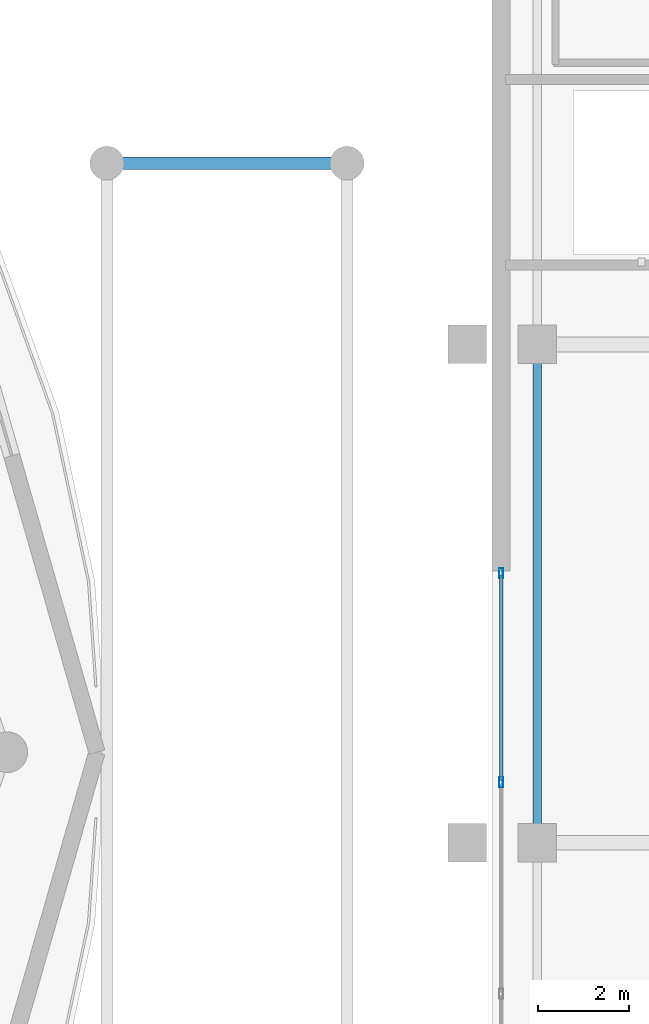
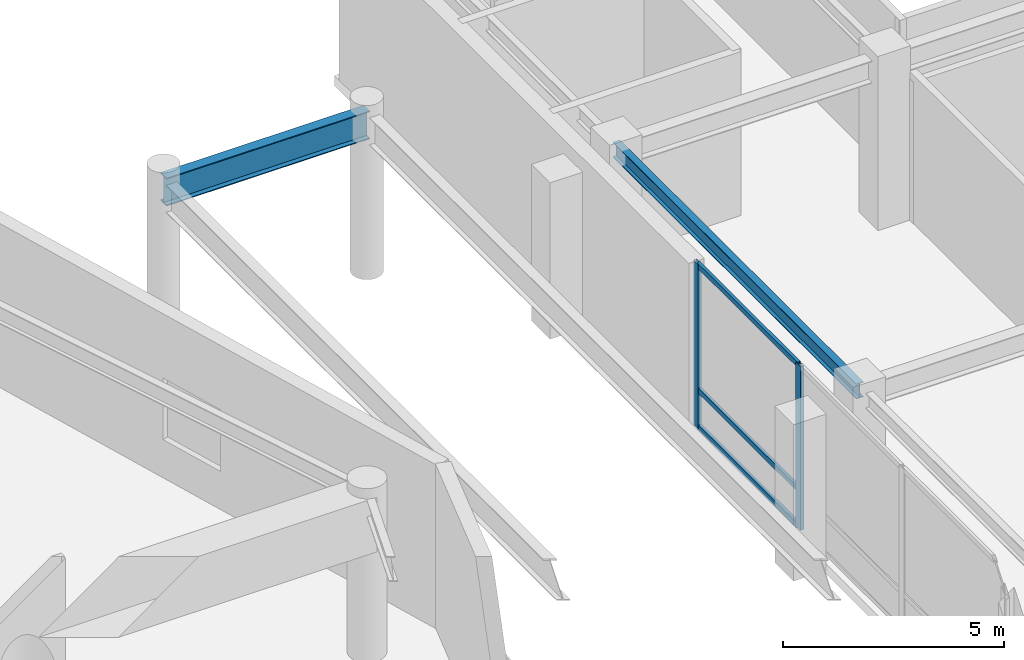
# One storey, part 18 of 36: 5 members, 2 beams, 1 element without a shape of its own.
"""IFC4 building model written with IfcOpenShell, lengths in metres."""

from ifc_helpers import new_model, si_unit, direction, frame, origin, origin_2d, place, context, subcontext, project, spatial, hollow_rectangle, i_section, extrude, material, layer, layer_set, material_profile, profile_set, type_object, element, aggregate, save


model = new_model("IFC4")

# Units and contexts
model_context = context("Model", 3, precision=1e-05, world=origin(), true_north=direction((0.0, 1.0)))
body_context = subcontext(model_context, "Body", "Model", "MODEL_VIEW")
ifc_project = project(units=[si_unit("LENGTHUNIT", "METRE"), si_unit("AREAUNIT", "SQUARE_METRE"), si_unit("VOLUMEUNIT", "CUBIC_METRE"), si_unit("PLANEANGLEUNIT", "RADIAN"), si_unit("MASSUNIT", "GRAM", prefix="KILO")], contexts=[model_context])

# Site, building, storey
site_placement = place(None, origin())
site = spatial("IfcSite", under=ifc_project, at=site_placement, CompositionType="ELEMENT")
building_placement = place(site_placement, origin())
building = spatial("IfcBuilding", under=site, at=building_placement, Name="Kazevale Care Tower and Concert Hall", CompositionType="ELEMENT")
storey_placement = place(building_placement, frame((0.0, 0.0, 14.39990234375)))
storey = spatial("IfcBuildingStorey", under=building, at=storey_placement, Name="L03", CompositionType="ELEMENT", Elevation=14.39990234375)

# Curtain wall, members
ifc_material_1 = material(Name="Aluminium 6063-T6 and Low-E Glass", Category="aluminium")
ifc_layer = layer(ifc_material_1, 0.179931640625)
ifc_layer_set = layer_set([ifc_layer], Name="Aluminium 6063-T6 and Low-E Glass")
curtain_wall_type = type_object("IfcCurtainWallType", Name="Concert Hall Foyer Storefront Curtain Wall CW-6", PredefinedType="NOTDEFINED", material=ifc_layer_set)
curtain_wall_placement = place(storey_placement, origin())
curtain_wall = element("IfcCurtainWall", 1, at=curtain_wall_placement, inside=storey, type_object=curtain_wall_type, Name="cw:L03:hall:W2", PredefinedType="NOTDEFINED")
ifc_material_2 = material(Name="Aluminium 6063-T6", Category="aluminium")
ifc_material_profile_1 = material_profile(ifc_material_2, hollow_rectangle(XDim=0.090087890625, YDim=0.219970703125, WallThickness=0.0048828125, at=origin_2d()), Name="ALU90x220x5")
ifc_profile_set_1 = profile_set([ifc_material_profile_1], Name="Aluminium 6063-T6")
member_type_1 = type_object("IfcMemberType", Name="CW-6 Mullion ALU90x220x5", PredefinedType="MULLION", material=ifc_profile_set_1)
member_1_placement = place(storey_placement, frame((96.199951171875, 41.955078125, 0.0), z_axis=(0.0, 0.0, 1.0), x_axis=(1.0, 0.0, 0.0)))
member_1 = element("IfcMember", 2, at=member_1_placement, type_object=member_type_1, Name="CW-6 mullion 1", PredefinedType="MULLION", context=body_context, shape_type="SweptSolid", body=[
    extrude(hollow_rectangle(XDim=0.090087890625, YDim=0.219970703125, WallThickness=0.0048828125, at=origin_2d()), origin(), (0.0, 0.0, 1.0), 4.52001953125),
])
member_2_placement = place(storey_placement, frame((96.199951171875, 37.333251953125, 0.0), z_axis=(0.0, 0.0, 1.0), x_axis=(1.0, 0.0, 0.0)))
member_2 = element("IfcMember", 3, at=member_2_placement, type_object=member_type_1, Name="CW-6 mullion 2", PredefinedType="MULLION", context=body_context, shape_type="SweptSolid", body=[
    extrude(hollow_rectangle(XDim=0.090087890625, YDim=0.219970703125, WallThickness=0.0048828125, at=origin_2d()), origin(), (0.0, 0.0, 1.0), 4.52001953125),
])
ifc_material_profile_2 = material_profile(ifc_material_2, hollow_rectangle(XDim=0.080078125, YDim=0.139892578125, WallThickness=0.00390625, at=origin_2d()), Name="ALU80x140x4")
ifc_profile_set_2 = profile_set([ifc_material_profile_2], Name="Aluminium 6063-T6")
member_type_2 = type_object("IfcMemberType", Name="CW-6 Transom ALU80x140x4", PredefinedType="USERDEFINED", material=ifc_profile_set_2)
member_3_placement = place(storey_placement, frame((96.199951171875, 41.909912109375, 0.0400390625), z_axis=(0.0, -1.0, 0.0), x_axis=(1.0, 0.0, 0.0)))
member_3 = element("IfcMember", 4, at=member_3_placement, type_object=member_type_2, Name="CW-6 transom 1.1", ObjectType="TRANSOM", PredefinedType="USERDEFINED", context=body_context, shape_type="SweptSolid", body=[
    extrude(hollow_rectangle(XDim=0.080078125, YDim=0.139892578125, WallThickness=0.00390625, at=origin_2d()), origin(), (0.0, 0.0, 1.0), 4.531494140625),
])
member_4_placement = place(storey_placement, frame((96.199951171875, 41.909912109375, 1.050048828125), z_axis=(0.0, -1.0, 0.0), x_axis=(1.0, 0.0, 0.0)))
member_4 = element("IfcMember", 5, at=member_4_placement, type_object=member_type_2, Name="CW-6 transom 1.2", ObjectType="TRANSOM", PredefinedType="USERDEFINED", context=body_context, shape_type="SweptSolid", body=[
    extrude(hollow_rectangle(XDim=0.080078125, YDim=0.139892578125, WallThickness=0.00390625, at=origin_2d()), origin(), (0.0, 0.0, 1.0), 4.531494140625),
])
member_5_placement = place(storey_placement, frame((96.199951171875, 41.909912109375, 4.47998046875), z_axis=(0.0, -1.0, 0.0), x_axis=(1.0, 0.0, 0.0)))
member_5 = element("IfcMember", 6, at=member_5_placement, type_object=member_type_2, Name="CW-6 transom 1.3", ObjectType="TRANSOM", PredefinedType="USERDEFINED", context=body_context, shape_type="SweptSolid", body=[
    extrude(hollow_rectangle(XDim=0.080078125, YDim=0.139892578125, WallThickness=0.00390625, at=origin_2d()), origin(), (0.0, 0.0, 1.0), 4.531494140625),
])
aggregate(curtain_wall, [member_1, member_2, member_3, member_4, member_5])

# Beams
ifc_material_3 = material(Name="Steel ASTM A572 Gr 50", Category="steel")
ifc_material_profile_3 = material_profile(ifc_material_3, i_section(OverallWidth=0.180908203125, OverallDepth=0.4169921875, WebThickness=0.010986328125, FlangeThickness=0.018310546875, at=origin_2d()), Name="W410x85")
ifc_profile_set_3 = profile_set([ifc_material_profile_3], Name="Steel ASTM A572 Gr 50")
beam_type_1 = type_object("IfcBeamType", Name="Concert Hall Secondary Beam W410x85", PredefinedType="BEAM", material=ifc_profile_set_3)
beam_1_placement = place(storey_placement, frame((97.0, 36.0, 4.3115234375), z_axis=(0.0, 1.0, 0.0), x_axis=(-1.0, 0.0, 0.0)))
element("IfcBeam", 7, at=beam_1_placement, inside=storey, type_object=beam_type_1, Name="beam:L03:hy:97_36", PredefinedType="BEAM", context=body_context, shape_type="SweptSolid", body=[
    extrude(i_section(OverallWidth=0.180908203125, OverallDepth=0.4169921875, WebThickness=0.010986328125, FlangeThickness=0.018310546875, at=origin_2d()), origin(), (0.0, 0.0, 1.0), 11.0),
])
ifc_material_profile_4 = material_profile(ifc_material_3, i_section(OverallWidth=0.26806640625, OverallDepth=0.77001953125, WebThickness=0.015625, FlangeThickness=0.025390625, at=origin_2d()), Name="W760x196")
ifc_profile_set_4 = profile_set([ifc_material_profile_4], Name="Steel ASTM A572 Gr 50")
beam_type_2 = type_object("IfcBeamType", Name="Podium Primary Girder W760x196", PredefinedType="BEAM", material=ifc_profile_set_4)
beam_2_placement = place(storey_placement, frame((92.800048828125, 51.0, 4.085205078125), z_axis=(-1.0, 0.0, 0.0), x_axis=(0.0, -1.0, 0.0)))
element("IfcBeam", 8, at=beam_2_placement, inside=storey, type_object=beam_type_2, Name="beam:L03:gbox:3", PredefinedType="BEAM", context=body_context, shape_type="SweptSolid", body=[
    extrude(i_section(OverallWidth=0.26806640625, OverallDepth=0.77001953125, WebThickness=0.015625, FlangeThickness=0.025390625, at=origin_2d()), origin(), (0.0, 0.0, 1.0), 5.300048828125),
])

save(model, "model.ifc")
